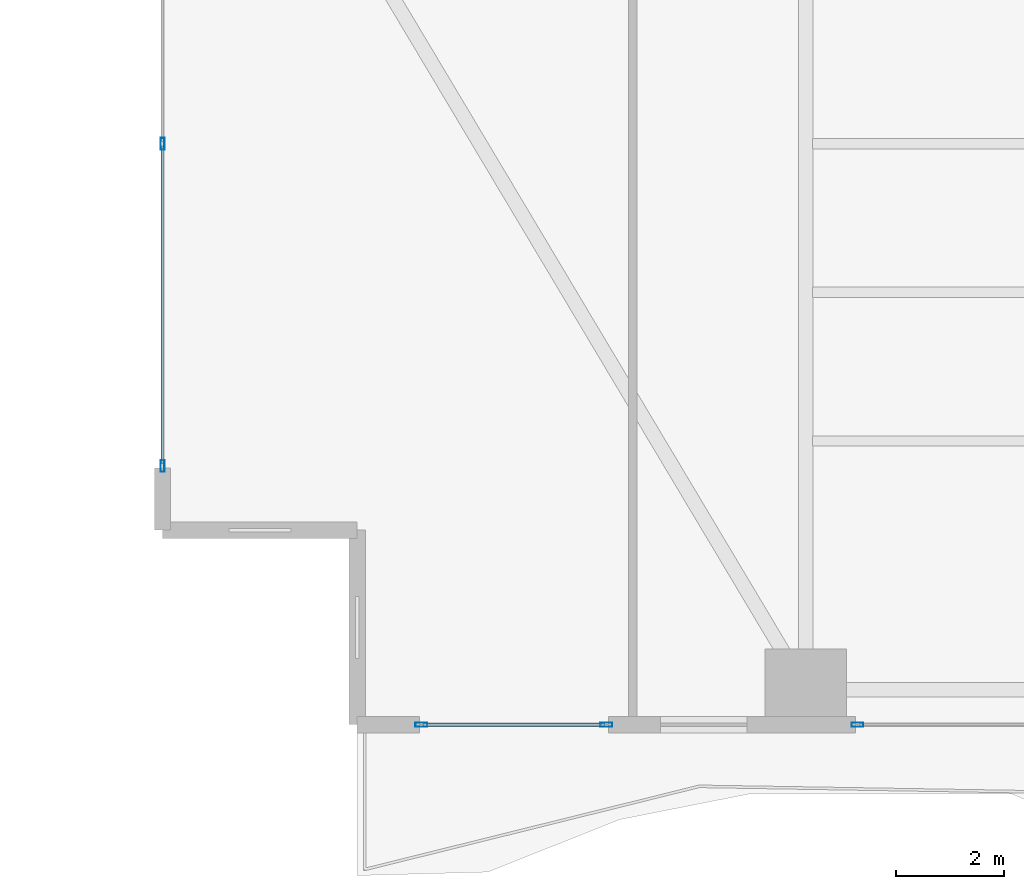
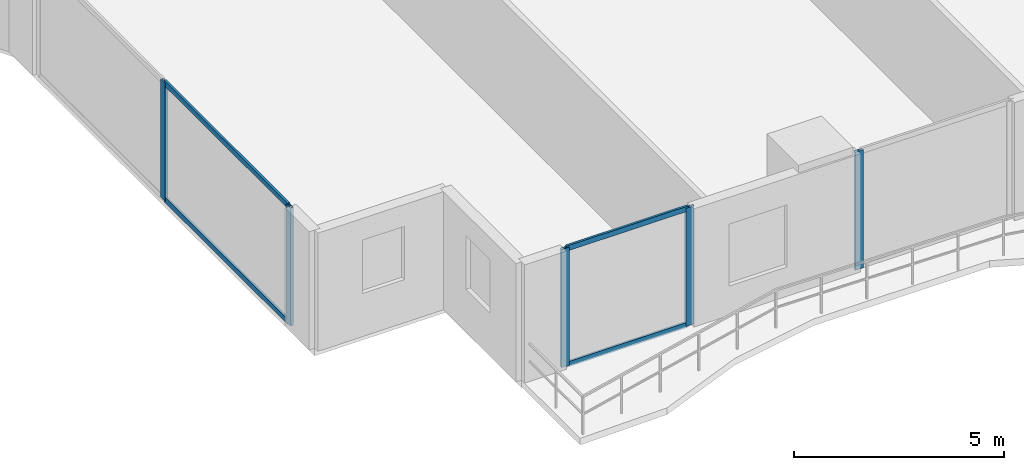
# One storey, part 2 of 29: 9 members, 3 elements without a shape of their own.
"""IFC4 building model written with IfcOpenShell, lengths in metres."""

from ifc_helpers import new_model, si_unit, direction, frame, origin, origin_2d, place, context, subcontext, project, spatial, hollow_rectangle, extrude, material, layer, layer_set, material_profile, profile_set, type_object, element, aggregate, save


model = new_model("IFC4")

# Units and contexts
model_context = context("Model", 3, precision=1e-05, world=origin(), true_north=direction((0.0, 1.0)))
body_context = subcontext(model_context, "Body", "Model", "MODEL_VIEW")
ifc_project = project(units=[si_unit("LENGTHUNIT", "METRE"), si_unit("AREAUNIT", "SQUARE_METRE"), si_unit("VOLUMEUNIT", "CUBIC_METRE"), si_unit("PLANEANGLEUNIT", "RADIAN"), si_unit("MASSUNIT", "GRAM", prefix="KILO")], contexts=[model_context])

# Site, building, storey
site_placement = place(None, origin())
site = spatial("IfcSite", under=ifc_project, at=site_placement, CompositionType="ELEMENT")
building_placement = place(site_placement, origin())
building = spatial("IfcBuilding", under=site, at=building_placement, Name="Zuhayl Quay Hotel", CompositionType="ELEMENT")
storey_placement = place(building_placement, frame((0.0, 0.0, 38.550048828125)))
storey = spatial("IfcBuildingStorey", under=building, at=storey_placement, Name="L08", CompositionType="ELEMENT", Elevation=38.550048828125)

# Curtain wall, members
ifc_material_1 = material(Name="Anodised Aluminium 6063-T6", Category="aluminium")
ifc_layer = layer(ifc_material_1, 0.18994140625, Name="Anodised Aluminium 6063-T6", Category="aluminium")
ifc_layer_set = layer_set([ifc_layer], Name="Anodised Aluminium 6063-T6")
curtain_wall_type = type_object("IfcCurtainWallType", Name="CW_SYS_Z1", PredefinedType="USERDEFINED", material=ifc_layer_set)
curtain_wall_1_placement = place(storey_placement, origin())
curtain_wall_1 = element("IfcCurtainWall", 1, at=curtain_wall_1_placement, inside=storey, type_object=curtain_wall_type, Name="L08 Curtain Wall ENV_L08_E02_CW1", ObjectType="UNITISED CURTAIN WALL", PredefinedType="USERDEFINED")
ifc_material_2 = material(Name="Black-anodised aluminium 6063-T6", Category="aluminium")
ifc_material_profile_1 = material_profile(ifc_material_2, hollow_rectangle(XDim=0.074951171875, YDim=0.219970703125, WallThickness=0.00390625, at=origin_2d()), Name="ALU220X75")
ifc_profile_set_1 = profile_set([ifc_material_profile_1], Name="Black-anodised aluminium 6063-T6")
member_type_1 = type_object("IfcMemberType", Name="MB_CW_MUL_220", PredefinedType="MULLION", material=ifc_profile_set_1)
member_1_placement = place(storey_placement, frame((-25.699951171875, -18.3125, 0.0), z_axis=(0.0, 0.0, 1.0), x_axis=(-1.0, 0.0, 0.0)))
member_1 = element("IfcMember", 2, at=member_1_placement, type_object=member_type_1, Name="CW-Z1 mullion 1", PredefinedType="MULLION", context=body_context, shape_type="SweptSolid", body=[
    extrude(hollow_rectangle(XDim=0.074951171875, YDim=0.219970703125, WallThickness=0.00390625, at=origin_2d()), origin(), (0.0, 0.0, 1.0), 3.429931640625),
])
member_2_placement = place(storey_placement, frame((-25.699951171875, -12.35009765625, 0.0), z_axis=(0.0, 0.0, 1.0), x_axis=(-1.0, 0.0, 0.0)))
member_2 = element("IfcMember", 3, at=member_2_placement, type_object=member_type_1, Name="CW-Z1 mullion 2", PredefinedType="MULLION", context=body_context, shape_type="SweptSolid", body=[
    extrude(hollow_rectangle(XDim=0.074951171875, YDim=0.219970703125, WallThickness=0.00390625, at=origin_2d()), origin(), (0.0, 0.0, 1.0), 3.429931640625),
])

# Curtain wall, member
curtain_wall_2_placement = place(storey_placement, origin())
curtain_wall_2 = element("IfcCurtainWall", 4, at=curtain_wall_2_placement, inside=storey, type_object=curtain_wall_type, Name="L08 Curtain Wall ENV_L08_S_CW4", ObjectType="UNITISED CURTAIN WALL", PredefinedType="USERDEFINED")
member_3_placement = place(storey_placement, frame((-12.842529296875, -23.10009765625, 0.0), z_axis=(0.0, 0.0, 1.0), x_axis=(0.0, -1.0, 0.0)))
member_3 = element("IfcMember", 5, at=member_3_placement, type_object=member_type_1, Name="CW-Z1 mullion 2", PredefinedType="MULLION", context=body_context, shape_type="SweptSolid", body=[
    extrude(hollow_rectangle(XDim=0.074951171875, YDim=0.219970703125, WallThickness=0.00390625, at=origin_2d()), origin(), (0.0, 0.0, 1.0), 3.429931640625),
])
aggregate(curtain_wall_2, [member_3])

# Curtain wall, members
curtain_wall_3_placement = place(storey_placement, origin())
curtain_wall_3 = element("IfcCurtainWall", 6, at=curtain_wall_3_placement, inside=storey, type_object=curtain_wall_type, Name="L08 Curtain Wall ENV_L08_S_CW5", ObjectType="UNITISED CURTAIN WALL", PredefinedType="USERDEFINED")
member_4_placement = place(storey_placement, frame((-17.487548828125, -23.10009765625, 0.0), z_axis=(0.0, 0.0, 1.0), x_axis=(0.0, -1.0, 0.0)))
member_4 = element("IfcMember", 7, at=member_4_placement, type_object=member_type_1, Name="CW-Z1 mullion 1", PredefinedType="MULLION", context=body_context, shape_type="SweptSolid", body=[
    extrude(hollow_rectangle(XDim=0.074951171875, YDim=0.219970703125, WallThickness=0.00390625, at=origin_2d()), origin(), (0.0, 0.0, 1.0), 3.429931640625),
])
member_5_placement = place(storey_placement, frame((-20.91259765625, -23.10009765625, 0.0), z_axis=(0.0, 0.0, 1.0), x_axis=(0.0, -1.0, 0.0)))
member_5 = element("IfcMember", 8, at=member_5_placement, type_object=member_type_1, Name="CW-Z1 mullion 2", PredefinedType="MULLION", context=body_context, shape_type="SweptSolid", body=[
    extrude(hollow_rectangle(XDim=0.074951171875, YDim=0.219970703125, WallThickness=0.00390625, at=origin_2d()), origin(), (0.0, 0.0, 1.0), 3.429931640625),
])

# Member
ifc_material_profile_2 = material_profile(ifc_material_2, hollow_rectangle(XDim=0.06005859375, YDim=0.14990234375, WallThickness=0.00341796875, at=origin_2d()), Name="ALU150X60")
ifc_profile_set_2 = profile_set([ifc_material_profile_2], Name="Black-anodised aluminium 6063-T6")
member_type_2 = type_object("IfcMemberType", Name="MB_CW_TRN_150", PredefinedType="USERDEFINED", material=ifc_profile_set_2)
member_6_placement = place(storey_placement, frame((-25.699951171875, -18.27490234375, 0.030029296875), z_axis=(0.0, 1.0, 0.0), x_axis=(-1.0, 0.0, 0.0)))
member_6 = element("IfcMember", 9, at=member_6_placement, type_object=member_type_2, Name="CW-Z1 transom 1.1", ObjectType="TRANSOM", PredefinedType="USERDEFINED", context=body_context, shape_type="SweptSolid", body=[
    extrude(hollow_rectangle(XDim=0.06005859375, YDim=0.14990234375, WallThickness=0.00341796875, at=origin_2d()), origin(), (0.0, 0.0, 1.0), 5.887451171875),
])

member_7_placement = place(storey_placement, frame((-25.699951171875, -18.27490234375, 3.39990234375), z_axis=(0.0, 1.0, 0.0), x_axis=(-1.0, 0.0, 0.0)))
member_7 = element("IfcMember", 10, at=member_7_placement, type_object=member_type_2, Name="CW-Z1 transom 1.2", ObjectType="TRANSOM", PredefinedType="USERDEFINED", context=body_context, shape_type="SweptSolid", body=[
    extrude(hollow_rectangle(XDim=0.06005859375, YDim=0.14990234375, WallThickness=0.00341796875, at=origin_2d()), origin(), (0.0, 0.0, 1.0), 5.887451171875),
])

aggregate(curtain_wall_1, [member_1, member_2, member_6, member_7])

member_8_placement = place(storey_placement, frame((-17.52490234375, -23.10009765625, 0.030029296875), z_axis=(-1.0, 0.0, 0.0), x_axis=(0.0, -1.0, 0.0)))
member_8 = element("IfcMember", 11, at=member_8_placement, type_object=member_type_2, Name="CW-Z1 transom 1.1", ObjectType="TRANSOM", PredefinedType="USERDEFINED", context=body_context, shape_type="SweptSolid", body=[
    extrude(hollow_rectangle(XDim=0.06005859375, YDim=0.14990234375, WallThickness=0.00341796875, at=origin_2d()), origin(), (0.0, 0.0, 1.0), 3.35009765625),
])

member_9_placement = place(storey_placement, frame((-17.52490234375, -23.10009765625, 3.39990234375), z_axis=(-1.0, 0.0, 0.0), x_axis=(0.0, -1.0, 0.0)))
member_9 = element("IfcMember", 12, at=member_9_placement, type_object=member_type_2, Name="CW-Z1 transom 1.2", ObjectType="TRANSOM", PredefinedType="USERDEFINED", context=body_context, shape_type="SweptSolid", body=[
    extrude(hollow_rectangle(XDim=0.06005859375, YDim=0.14990234375, WallThickness=0.00341796875, at=origin_2d()), origin(), (0.0, 0.0, 1.0), 3.35009765625),
])

aggregate(curtain_wall_3, [member_4, member_5, member_8, member_9])

save(model, "model.ifc")
